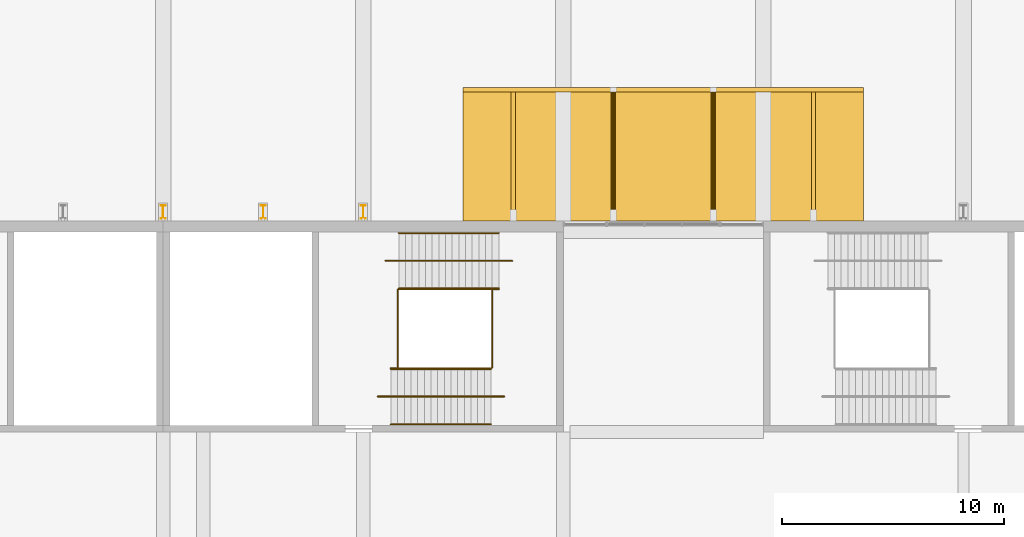
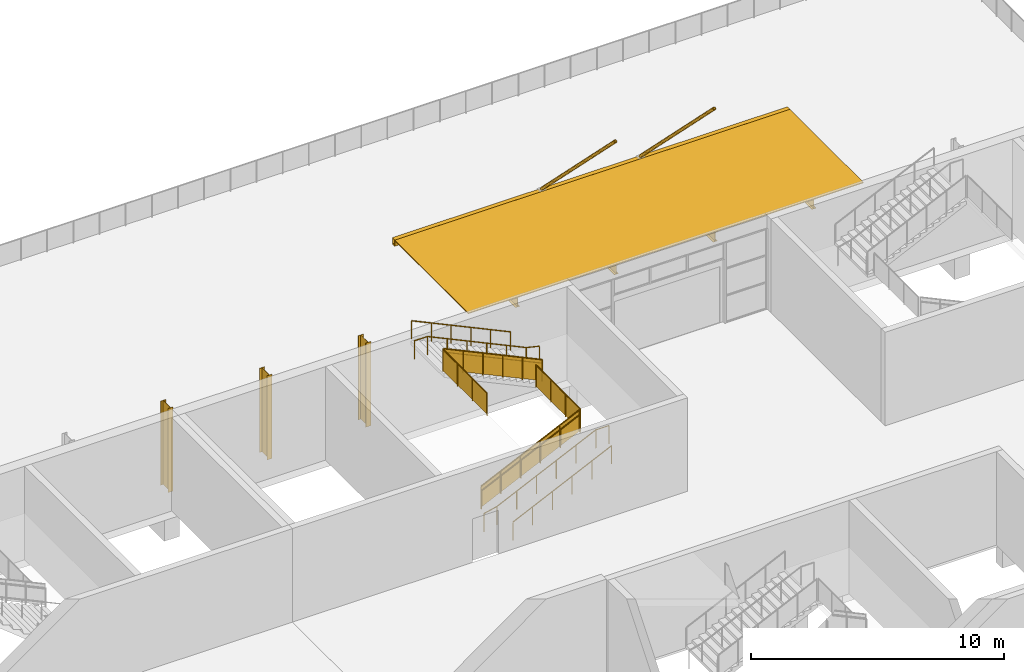
# One storey, part 165 of 168: 13 shading devices, 10 railings.
"""IFC4 building model written with IfcOpenShell, lengths in metres."""

from ifc_helpers import new_model, si_unit, direction, frame, origin, origin_2d, place, context, subcontext, project, spatial, polyline, rectangle, hollow_rectangle, circle, hollow_circle, i_section, outline, extrude, material, material_profile, profile_set, type_object, element, save


model = new_model("IFC4")

# Units and contexts
model_context = context("Model", 3, precision=1e-05, world=origin(), true_north=direction((0.0, 1.0)))
body_context = subcontext(model_context, "Body", "Model", "MODEL_VIEW")
ifc_project = project(units=[si_unit("LENGTHUNIT", "METRE"), si_unit("AREAUNIT", "SQUARE_METRE"), si_unit("VOLUMEUNIT", "CUBIC_METRE"), si_unit("PLANEANGLEUNIT", "RADIAN"), si_unit("MASSUNIT", "GRAM", prefix="KILO")], contexts=[model_context])

# Site, building, storey
site_placement = place(None, origin())
site = spatial("IfcSite", under=ifc_project, at=site_placement, CompositionType="ELEMENT")
building_placement = place(site_placement, origin())
building = spatial("IfcBuilding", under=site, at=building_placement, Name="Silverbay Arena", CompositionType="ELEMENT")
storey_placement = place(building_placement, frame((0.0, 0.0, 7.0)))
storey = spatial("IfcBuildingStorey", under=building, at=storey_placement, Name="L01", CompositionType="ELEMENT", Elevation=7.0)

# Shading devices
ifc_material_1 = material(Name="Steel S355", Category="steel")
shading_device_type_1 = type_object("IfcShadingDeviceType", Name="Entrance marquee 6000 x 18000", PredefinedType="AWNING", material=ifc_material_1)
shading_device_1_placement = place(storey_placement, frame((184.5, 147.39990234375, 4.353271484375), z_axis=(0.0, 0.0, 1.0), x_axis=(1.0, 0.0, 0.0)))
element("IfcShadingDevice", 1, at=shading_device_1_placement, inside=storey, type_object=shading_device_type_1, Name="North entrance marquee L01 bay 18", PredefinedType="AWNING", context=body_context, shape_type="SweptSolid", body=[
    extrude(rectangle(XDim=18.0, YDim=5.800048828125, at=origin_2d()), origin(), (0.0, 0.0, 1.0), 0.0400390625),
])
ifc_material_2 = material(Name="Steel S355", Category="steel")
ifc_material_profile_1 = material_profile(ifc_material_2, i_section(OverallWidth=0.18994140625, OverallDepth=0.453369140625, WebThickness=0.008544921875, FlangeThickness=0.0126953125, at=origin_2d()), Name="UB 457x191x67")
ifc_profile_set_1 = profile_set([ifc_material_profile_1], Name="Steel S355")
shading_device_type_2 = type_object("IfcShadingDeviceType", Name="Marquee cantilever beam UB 457x191x67", PredefinedType="USERDEFINED", material=ifc_profile_set_1)
for number, where, z_axis, x_axis, name in (
    (2, (177.75, 144.5, 4.126708984375), (0.0, 1.0, 0.0), (-1.0, 0.0, 0.0), "North marquee beam L01 bay 18.1"),
    (3, (182.25, 144.5, 4.126708984375), (0.0, 1.0, 0.0), (-1.0, 0.0, 0.0), "North marquee beam L01 bay 18.2"),
    (4, (186.75, 144.5, 4.126708984375), (0.0, 1.0, 0.0), (-1.0, 0.0, 0.0), "North marquee beam L01 bay 18.3"),
    (5, (191.25, 144.5, 4.126708984375), (0.0, 1.0, 0.0), (-1.0, 0.0, 0.0), "North marquee beam L01 bay 18.4"),
):
    element("IfcShadingDevice", number, at=place(storey_placement, frame(where, z_axis=z_axis, x_axis=x_axis)), inside=storey, type_object=shading_device_type_2, Name=name, ObjectType="MARQUEE FRAME", PredefinedType="USERDEFINED", context=body_context, shape_type="SweptSolid", body=[
        extrude(i_section(OverallWidth=0.18994140625, OverallDepth=0.453369140625, WebThickness=0.008544921875, FlangeThickness=0.0126953125, at=origin_2d()), origin(), (0.0, 0.0, 1.0), 5.800048828125),
    ])
ifc_material_3 = material(Name="Steel S355", Category="steel")
ifc_material_profile_2 = material_profile(ifc_material_3, hollow_rectangle(XDim=0.199951171875, YDim=0.300048828125, WallThickness=0.008056640625, at=origin_2d()), Name="RHS 300x200x8")
ifc_profile_set_2 = profile_set([ifc_material_profile_2], Name="Steel S355")
shading_device_type_3 = type_object("IfcShadingDeviceType", Name="Marquee edge beam RHS 300x200x8", PredefinedType="USERDEFINED", material=ifc_profile_set_2)
shading_device_2_placement = place(storey_placement, frame((175.5, 150.39990234375, 4.243408203125), z_axis=(1.0, 0.0, 0.0), x_axis=(0.0, 1.0, 0.0)))
element("IfcShadingDevice", 6, at=shading_device_2_placement, inside=storey, type_object=shading_device_type_3, Name="North marquee edge beam L01 bay 18.1", ObjectType="MARQUEE FRAME", PredefinedType="USERDEFINED", context=body_context, shape_type="SweptSolid", body=[
    extrude(hollow_rectangle(XDim=0.199951171875, YDim=0.300048828125, WallThickness=0.008056640625, at=origin_2d()), origin(), (0.0, 0.0, 1.0), 6.75),
])
shading_device_3_placement = place(storey_placement, frame((182.25, 150.39990234375, 4.243408203125), z_axis=(1.0, 0.0, 0.0), x_axis=(0.0, 1.0, 0.0)))
element("IfcShadingDevice", 7, at=shading_device_3_placement, inside=storey, type_object=shading_device_type_3, Name="North marquee edge beam L01 bay 18.2", ObjectType="MARQUEE FRAME", PredefinedType="USERDEFINED", context=body_context, shape_type="SweptSolid", body=[
    extrude(hollow_rectangle(XDim=0.199951171875, YDim=0.300048828125, WallThickness=0.008056640625, at=origin_2d()), origin(), (0.0, 0.0, 1.0), 4.5),
])
shading_device_4_placement = place(storey_placement, frame((186.75, 150.39990234375, 4.243408203125), z_axis=(1.0, 0.0, 0.0), x_axis=(0.0, 1.0, 0.0)))
element("IfcShadingDevice", 8, at=shading_device_4_placement, inside=storey, type_object=shading_device_type_3, Name="North marquee edge beam L01 bay 18.3", ObjectType="MARQUEE FRAME", PredefinedType="USERDEFINED", context=body_context, shape_type="SweptSolid", body=[
    extrude(hollow_rectangle(XDim=0.199951171875, YDim=0.300048828125, WallThickness=0.008056640625, at=origin_2d()), origin(), (0.0, 0.0, 1.0), 6.75),
])
ifc_material_4 = material(Name="Steel S355", Category="steel")
ifc_material_profile_3 = material_profile(ifc_material_4, hollow_circle(Radius=0.06982421875, WallThickness=0.008056640625, at=origin_2d()), Name="CHS 139.7x8")
ifc_profile_set_3 = profile_set([ifc_material_profile_3], Name="Steel S355")
shading_device_type_4 = type_object("IfcShadingDeviceType", Name="Marquee tie CHS 139.7x8", PredefinedType="USERDEFINED", material=ifc_profile_set_3)
for number, where, z_axis, x_axis, name in (
    (9, (182.25, 150.39990234375, 4.443359375), (0.0, -0.707091949838, 0.707121612224), (1.0, 0.0, 0.0), "North marquee tie 1"),
    (10, (186.75, 150.39990234375, 4.443359375), (0.0, -0.707091949838, 0.707121612224), (1.0, 0.0, 0.0), "North marquee tie 2"),
):
    element("IfcShadingDevice", number, at=place(storey_placement, frame(where, z_axis=z_axis, x_axis=x_axis)), inside=storey, type_object=shading_device_type_4, Name=name, ObjectType="MARQUEE FRAME", PredefinedType="USERDEFINED", context=body_context, shape_type="SweptSolid", body=[
        extrude(hollow_circle(Radius=0.06982421875, WallThickness=0.008056640625, at=origin_2d()), origin(), (0.0, 0.0, 1.0), 8.230712890625),
    ])

# Railings
ifc_material_5 = material(Name="Stainless steel", Category="steel")
railing_type_1 = type_object("IfcRailingType", Name="Stair guard 1100", PredefinedType="GUARDRAIL", material=ifc_material_5)
railing_1_placement = place(storey_placement, frame((172.24658203125, 137.875, 0.140625)))
element("IfcRailing", 11, at=railing_1_placement, inside=storey, type_object=railing_type_1, Name="Stair ST-N4 L01 to L02 flight 1 guard right", PredefinedType="GUARDRAIL", context=body_context, shape_type="SweptSolid", body=[
    extrude(circle(Radius=0.02392578125, at=origin_2d()), frame((0.0, 0.0, 1.076171875), z_axis=(0.905458935959, 0.0, 0.424433876231), x_axis=(0.0, 1.0, 0.0)), (0.0, 0.0, 1.0), 4.969970703125),
    extrude(outline(polyline([(-0.008056640625, 0.046142578125), (0.907958984375, 0.4755859375), (0.907958984375, 1.478515625), (-0.008056640625, 1.04931640625), (-0.008056640625, 0.046142578125)])), frame((0.0, 0.0029296875, 0.0), z_axis=(0.0, -1.0, 0.0), x_axis=(1.0, 0.0, 0.0)), (0.0, 0.0, 1.0), 0.006103515625),
    extrude(outline(polyline([(-0.008056640625, 0.468017578125), (0.907958984375, 0.8974609375), (0.907958984375, 1.900390625), (-0.008056640625, 1.47119140625), (-0.008056640625, 0.468017578125)])), frame((0.89990234375, 0.0029296875, 0.0), z_axis=(0.0, -1.0, 0.0), x_axis=(1.0, 0.0, 0.0)), (0.0, 0.0, 1.0), 0.006103515625),
    extrude(outline(polyline([(-0.008056640625, 0.889892578125), (0.907958984375, 1.3193359375), (0.907958984375, 2.322265625), (-0.008056640625, 1.89306640625), (-0.008056640625, 0.889892578125)])), frame((1.800048828125, 0.0029296875, 0.0), z_axis=(0.0, -1.0, 0.0), x_axis=(1.0, 0.0, 0.0)), (0.0, 0.0, 1.0), 0.006103515625),
    extrude(outline(polyline([(-0.008056640625, 1.311767578125), (0.907958984375, 1.7412109375), (0.907958984375, 2.744140625), (-0.008056640625, 2.31494140625), (-0.008056640625, 1.311767578125)])), frame((2.699951171875, 0.0029296875, 0.0), z_axis=(0.0, -1.0, 0.0), x_axis=(1.0, 0.0, 0.0)), (0.0, 0.0, 1.0), 0.006103515625),
    extrude(outline(polyline([(-0.008056640625, 1.733642578125), (0.907958984375, 2.1630859375), (0.907958984375, 3.166015625), (-0.008056640625, 2.73681640625), (-0.008056640625, 1.733642578125)])), frame((3.60009765625, 0.0029296875, 0.0), z_axis=(0.0, -1.0, 0.0), x_axis=(1.0, 0.0, 0.0)), (0.0, 0.0, 1.0), 0.006103515625),
    extrude(circle(Radius=0.02099609375, at=origin_2d()), origin(), (0.0, 0.0, 1.0), 1.052001953125),
    extrude(circle(Radius=0.02099609375, at=origin_2d()), frame((0.89990234375, 0.0, 0.421875)), (0.0, 0.0, 1.0), 1.052001953125),
    extrude(circle(Radius=0.02099609375, at=origin_2d()), frame((1.800048828125, 0.0, 0.84375)), (0.0, 0.0, 1.0), 1.052001953125),
    extrude(circle(Radius=0.02099609375, at=origin_2d()), frame((2.699951171875, 0.0, 1.265625)), (0.0, 0.0, 1.0), 1.052001953125),
    extrude(circle(Radius=0.02099609375, at=origin_2d()), frame((3.60009765625, 0.0, 1.6875)), (0.0, 0.0, 1.0), 1.052001953125),
    extrude(circle(Radius=0.02099609375, at=origin_2d()), frame((4.5, 0.0, 2.109375)), (0.0, 0.0, 1.0), 1.052001953125),
])
railing_2_placement = place(storey_placement, frame((177.10009765625, 141.425048828125, 2.390625)))
element("IfcRailing", 12, at=railing_2_placement, inside=storey, type_object=railing_type_1, Name="Stair ST-N4 L01 to L02 flight 2 guard left", PredefinedType="GUARDRAIL", context=body_context, shape_type="SweptSolid", body=[
    extrude(circle(Radius=0.02392578125, at=origin_2d()), frame((0.0, 0.0, 1.076171875), z_axis=(-0.905458935959, 0.0, 0.424433876231), x_axis=(0.0, -1.0, 0.0)), (0.0, 0.0, 1.0), 4.969970703125),
    extrude(outline(polyline([(-0.008056640625, 0.046142578125), (0.907958984375, 0.4755859375), (0.907958984375, 1.478515625), (-0.008056640625, 1.04931640625), (-0.008056640625, 0.046142578125)])), frame((0.0, -0.0029296875, 0.0), z_axis=(0.0, 1.0, 0.0), x_axis=(-1.0, 0.0, 0.0)), (0.0, 0.0, 1.0), 0.006103515625),
    extrude(outline(polyline([(-0.008056640625, 0.468017578125), (0.907958984375, 0.8974609375), (0.907958984375, 1.900390625), (-0.008056640625, 1.47119140625), (-0.008056640625, 0.468017578125)])), frame((-0.89990234375, -0.0029296875, 0.0), z_axis=(0.0, 1.0, 0.0), x_axis=(-1.0, 0.0, 0.0)), (0.0, 0.0, 1.0), 0.006103515625),
    extrude(outline(polyline([(-0.008056640625, 0.889892578125), (0.907958984375, 1.3193359375), (0.907958984375, 2.322265625), (-0.008056640625, 1.89306640625), (-0.008056640625, 0.889892578125)])), frame((-1.800048828125, -0.0029296875, 0.0), z_axis=(0.0, 1.0, 0.0), x_axis=(-1.0, 0.0, 0.0)), (0.0, 0.0, 1.0), 0.006103515625),
    extrude(outline(polyline([(-0.008056640625, 1.311767578125), (0.907958984375, 1.7412109375), (0.907958984375, 2.744140625), (-0.008056640625, 2.31494140625), (-0.008056640625, 1.311767578125)])), frame((-2.699951171875, -0.0029296875, 0.0), z_axis=(0.0, 1.0, 0.0), x_axis=(-1.0, 0.0, 0.0)), (0.0, 0.0, 1.0), 0.006103515625),
    extrude(outline(polyline([(-0.008056640625, 1.733642578125), (0.907958984375, 2.1630859375), (0.907958984375, 3.166015625), (-0.008056640625, 2.73681640625), (-0.008056640625, 1.733642578125)])), frame((-3.60009765625, -0.0029296875, 0.0), z_axis=(0.0, 1.0, 0.0), x_axis=(-1.0, 0.0, 0.0)), (0.0, 0.0, 1.0), 0.006103515625),
    extrude(circle(Radius=0.02099609375, at=origin_2d()), origin(), (0.0, 0.0, 1.0), 1.052001953125),
    extrude(circle(Radius=0.02099609375, at=origin_2d()), frame((-0.89990234375, 0.0, 0.421875)), (0.0, 0.0, 1.0), 1.052001953125),
    extrude(circle(Radius=0.02099609375, at=origin_2d()), frame((-1.800048828125, 0.0, 0.84375)), (0.0, 0.0, 1.0), 1.052001953125),
    extrude(circle(Radius=0.02099609375, at=origin_2d()), frame((-2.699951171875, 0.0, 1.265625)), (0.0, 0.0, 1.0), 1.052001953125),
    extrude(circle(Radius=0.02099609375, at=origin_2d()), frame((-3.60009765625, 0.0, 1.6875)), (0.0, 0.0, 1.0), 1.052001953125),
    extrude(circle(Radius=0.02099609375, at=origin_2d()), frame((-4.5, 0.0, 2.109375)), (0.0, 0.0, 1.0), 1.052001953125),
])
for number, where, name in (
    (13, (176.796630859375, 137.89990234375, 2.25), "Stair ST-N4 L01 to L02 landing 1 guard"),
    (14, (172.550048828125, 137.89990234375, 4.5), "Stair ST-N4 L01 to L02 landing 2 guard"),
):
    element("IfcRailing", number, at=place(storey_placement, frame(where)), inside=storey, type_object=railing_type_1, Name=name, PredefinedType="GUARDRAIL", context=body_context, shape_type="SweptSolid", body=[
        extrude(circle(Radius=0.02392578125, at=origin_2d()), frame((0.0, 0.0, 1.076171875), z_axis=(0.0, 1.0, 0.0), x_axis=(-1.0, 0.0, 0.0)), (0.0, 0.0, 1.0), 3.5),
        extrude(outline(polyline([(-0.008056640625, 0.050048828125), (1.174560546875, 0.050048828125), (1.174560546875, 1.052978515625), (-0.008056640625, 1.052978515625), (-0.008056640625, 0.050048828125)])), frame((-0.0029296875, 0.0, 0.0), z_axis=(1.0, 0.0, 0.0), x_axis=(0.0, 1.0, 0.0)), (0.0, 0.0, 1.0), 0.006103515625),
        extrude(outline(polyline([(-0.008056640625, 0.050048828125), (1.174560546875, 0.050048828125), (1.174560546875, 1.052978515625), (-0.008056640625, 1.052978515625), (-0.008056640625, 0.050048828125)])), frame((-0.0029296875, 1.166748046875, 0.0), z_axis=(1.0, 0.0, 0.0), x_axis=(0.0, 1.0, 0.0)), (0.0, 0.0, 1.0), 0.006103515625),
        extrude(outline(polyline([(-0.008056640625, 0.050048828125), (1.174560546875, 0.050048828125), (1.174560546875, 1.052978515625), (-0.008056640625, 1.052978515625), (-0.008056640625, 0.050048828125)])), frame((-0.0029296875, 2.333251953125, 0.0), z_axis=(1.0, 0.0, 0.0), x_axis=(0.0, 1.0, 0.0)), (0.0, 0.0, 1.0), 0.006103515625),
        extrude(circle(Radius=0.02099609375, at=origin_2d()), origin(), (0.0, 0.0, 1.0), 1.052001953125),
        extrude(circle(Radius=0.02099609375, at=origin_2d()), frame((0.0, 1.166748046875, 0.0)), (0.0, 0.0, 1.0), 1.052001953125),
        extrude(circle(Radius=0.02099609375, at=origin_2d()), frame((0.0, 2.333251953125, 0.0)), (0.0, 0.0, 1.0), 1.052001953125),
        extrude(circle(Radius=0.02099609375, at=origin_2d()), frame((0.0, 3.5, 0.0)), (0.0, 0.0, 1.0), 1.052001953125),
    ])
ifc_material_6 = material(Name="Stainless steel", Category="steel")
railing_type_2 = type_object("IfcRailingType", Name="Stair handrail 900", PredefinedType="HANDRAIL", material=ifc_material_6)
for number, where, name in (
    (15, (172.24658203125, 135.35009765625, 0.140625), "Stair ST-N4 L01 to L02 flight 1 handrail left"),
    (16, (172.24658203125, 137.8359375, 0.140625), "Stair ST-N4 L01 to L02 flight 1 handrail right"),
):
    element("IfcRailing", number, at=place(storey_placement, frame(where)), inside=storey, type_object=railing_type_2, Name=name, PredefinedType="HANDRAIL", context=body_context, shape_type="SweptSolid", body=[
        extrude(circle(Radius=0.02392578125, at=origin_2d()), frame((0.0, 0.0, 0.8759765625), z_axis=(0.905458935959, 0.0, 0.424433876231), x_axis=(0.0, 1.0, 0.0)), (0.0, 0.0, 1.0), 4.969970703125),
        extrude(circle(Radius=0.02099609375, at=origin_2d()), origin(), (0.0, 0.0, 1.0), 0.851806640625),
        extrude(circle(Radius=0.02099609375, at=origin_2d()), frame((0.89990234375, 0.0, 0.421875)), (0.0, 0.0, 1.0), 0.851806640625),
        extrude(circle(Radius=0.02099609375, at=origin_2d()), frame((1.800048828125, 0.0, 0.84375)), (0.0, 0.0, 1.0), 0.851806640625),
        extrude(circle(Radius=0.02099609375, at=origin_2d()), frame((2.699951171875, 0.0, 1.265625)), (0.0, 0.0, 1.0), 0.851806640625),
        extrude(circle(Radius=0.02099609375, at=origin_2d()), frame((3.60009765625, 0.0, 1.6875)), (0.0, 0.0, 1.0), 0.851806640625),
        extrude(circle(Radius=0.02099609375, at=origin_2d()), frame((4.5, 0.0, 2.109375)), (0.0, 0.0, 1.0), 0.851806640625),
    ])
railing_3_placement = place(storey_placement, frame((171.646484375, 136.60009765625, 0.0)))
element("IfcRailing", 17, at=railing_3_placement, inside=storey, type_object=railing_type_2, Name="Stair ST-N4 L01 to L02 flight 1 central handrail", PredefinedType="HANDRAIL", context=body_context, shape_type="SweptSolid", body=[
    extrude(circle(Radius=0.02392578125, at=origin_2d()), frame((0.0, 0.0, 0.8759765625), z_axis=(0.973624560196, 0.0, 0.228156121511), x_axis=(0.0, 1.0, 0.0)), (0.0, 0.0, 1.0), 0.616455078125),
    extrude(circle(Radius=0.02392578125, at=origin_2d()), frame((0.60009765625, 0.0, 1.0166015625), z_axis=(0.905458935959, 0.0, 0.424433876231), x_axis=(0.0, 1.0, 0.0)), (0.0, 0.0, 1.0), 4.969970703125),
    extrude(circle(Radius=0.02392578125, at=origin_2d()), frame((5.10009765625, 0.0, 3.1259765625), z_axis=(1.0, 0.0, 0.0), x_axis=(0.0, 1.0, 0.0)), (0.0, 0.0, 1.0), 0.60009765625),
    extrude(circle(Radius=0.02099609375, at=origin_2d()), origin(), (0.0, 0.0, 1.0), 0.851806640625),
    extrude(circle(Radius=0.02099609375, at=origin_2d()), frame((0.60009765625, 0.0, 0.140625)), (0.0, 0.0, 1.0), 0.851806640625),
    extrude(circle(Radius=0.02099609375, at=origin_2d()), frame((1.5, 0.0, 0.5625)), (0.0, 0.0, 1.0), 0.851806640625),
    extrude(circle(Radius=0.02099609375, at=origin_2d()), frame((2.400146484375, 0.0, 0.984375)), (0.0, 0.0, 1.0), 0.851806640625),
    extrude(circle(Radius=0.02099609375, at=origin_2d()), frame((3.300048828125, 0.0, 1.40625)), (0.0, 0.0, 1.0), 0.851806640625),
    extrude(circle(Radius=0.02099609375, at=origin_2d()), frame((4.2001953125, 0.0, 1.828125)), (0.0, 0.0, 1.0), 0.851806640625),
    extrude(circle(Radius=0.02099609375, at=origin_2d()), frame((5.10009765625, 0.0, 2.25)), (0.0, 0.0, 1.0), 0.851806640625),
    extrude(circle(Radius=0.02099609375, at=origin_2d()), frame((5.7001953125, 0.0, 2.25)), (0.0, 0.0, 1.0), 0.851806640625),
])
for number, where, name in (
    (18, (177.10009765625, 141.464111328125, 2.390625), "Stair ST-N4 L01 to L02 flight 2 handrail left"),
    (19, (177.10009765625, 143.949951171875, 2.390625), "Stair ST-N4 L01 to L02 flight 2 handrail right"),
):
    element("IfcRailing", number, at=place(storey_placement, frame(where)), inside=storey, type_object=railing_type_2, Name=name, PredefinedType="HANDRAIL", context=body_context, shape_type="SweptSolid", body=[
        extrude(circle(Radius=0.02392578125, at=origin_2d()), frame((0.0, 0.0, 0.8759765625), z_axis=(-0.905458935959, 0.0, 0.424433876231), x_axis=(0.0, -1.0, 0.0)), (0.0, 0.0, 1.0), 4.969970703125),
        extrude(circle(Radius=0.02099609375, at=origin_2d()), origin(), (0.0, 0.0, 1.0), 0.851806640625),
        extrude(circle(Radius=0.02099609375, at=origin_2d()), frame((-0.89990234375, 0.0, 0.421875)), (0.0, 0.0, 1.0), 0.851806640625),
        extrude(circle(Radius=0.02099609375, at=origin_2d()), frame((-1.800048828125, 0.0, 0.84375)), (0.0, 0.0, 1.0), 0.851806640625),
        extrude(circle(Radius=0.02099609375, at=origin_2d()), frame((-2.699951171875, 0.0, 1.265625)), (0.0, 0.0, 1.0), 0.851806640625),
        extrude(circle(Radius=0.02099609375, at=origin_2d()), frame((-3.60009765625, 0.0, 1.6875)), (0.0, 0.0, 1.0), 0.851806640625),
        extrude(circle(Radius=0.02099609375, at=origin_2d()), frame((-4.5, 0.0, 2.109375)), (0.0, 0.0, 1.0), 0.851806640625),
    ])
railing_4_placement = place(storey_placement, frame((177.699951171875, 142.699951171875, 2.25)))
element("IfcRailing", 20, at=railing_4_placement, inside=storey, type_object=railing_type_2, Name="Stair ST-N4 L01 to L02 flight 2 central handrail", PredefinedType="HANDRAIL", context=body_context, shape_type="SweptSolid", body=[
    extrude(circle(Radius=0.02392578125, at=origin_2d()), frame((0.0, 0.0, 0.8759765625), z_axis=(-0.973603928963, 0.0, 0.228244144519), x_axis=(0.0, -1.0, 0.0)), (0.0, 0.0, 1.0), 0.6162109375),
    extrude(circle(Radius=0.02392578125, at=origin_2d()), frame((-0.599853515625, 0.0, 1.0166015625), z_axis=(-0.905458935959, 0.0, 0.424433876231), x_axis=(0.0, -1.0, 0.0)), (0.0, 0.0, 1.0), 4.969970703125),
    extrude(circle(Radius=0.02392578125, at=origin_2d()), frame((-5.099853515625, 0.0, 3.1259765625), z_axis=(-1.0, 0.0, 0.0), x_axis=(0.0, -1.0, 0.0)), (0.0, 0.0, 1.0), 0.60009765625),
    extrude(circle(Radius=0.02099609375, at=origin_2d()), origin(), (0.0, 0.0, 1.0), 0.851806640625),
    extrude(circle(Radius=0.02099609375, at=origin_2d()), frame((-0.599853515625, 0.0, 0.140625)), (0.0, 0.0, 1.0), 0.851806640625),
    extrude(circle(Radius=0.02099609375, at=origin_2d()), frame((-1.499755859375, 0.0, 0.5625)), (0.0, 0.0, 1.0), 0.851806640625),
    extrude(circle(Radius=0.02099609375, at=origin_2d()), frame((-2.39990234375, 0.0, 0.984375)), (0.0, 0.0, 1.0), 0.851806640625),
    extrude(circle(Radius=0.02099609375, at=origin_2d()), frame((-3.2998046875, 0.0, 1.40625)), (0.0, 0.0, 1.0), 0.851806640625),
    extrude(circle(Radius=0.02099609375, at=origin_2d()), frame((-4.199951171875, 0.0, 1.828125)), (0.0, 0.0, 1.0), 0.851806640625),
    extrude(circle(Radius=0.02099609375, at=origin_2d()), frame((-5.099853515625, 0.0, 2.25)), (0.0, 0.0, 1.0), 0.851806640625),
    extrude(circle(Radius=0.02099609375, at=origin_2d()), frame((-5.699951171875, 0.0, 2.25)), (0.0, 0.0, 1.0), 0.851806640625),
])

# Shading devices
ifc_material_7 = material(Name="Steel S355", Category="steel")
ifc_material_profile_4 = material_profile(ifc_material_7, i_section(OverallWidth=0.2275390625, OverallDepth=0.6025390625, WebThickness=0.010498046875, FlangeThickness=0.014892578125, at=origin_2d()), Name="UB 610x229x101")
ifc_profile_set_4 = profile_set([ifc_material_profile_4], Name="Steel S355")
shading_device_type_5 = type_object("IfcShadingDeviceType", Name="Steel fin UB 610x229x101", PredefinedType="USERDEFINED", material=ifc_profile_set_4)
for number, where, z_axis, x_axis, name in (
    (21, (162.0, 144.9013671875, 0.449951171875), (0.0, 0.0, 1.0), (1.0, 0.0, 0.0), "Steel fin N L01 24"),
    (22, (166.5, 144.9013671875, 0.449951171875), (0.0, 0.0, 1.0), (1.0, 0.0, 0.0), "Steel fin N L01 25"),
    (23, (171.0, 144.9013671875, 0.449951171875), (0.0, 0.0, 1.0), (1.0, 0.0, 0.0), "Steel fin N L01 26"),
):
    element("IfcShadingDevice", number, at=place(storey_placement, frame(where, z_axis=z_axis, x_axis=x_axis)), inside=storey, type_object=shading_device_type_5, Name=name, ObjectType="FIN", PredefinedType="USERDEFINED", context=body_context, shape_type="SweptSolid", body=[
        extrude(i_section(OverallWidth=0.2275390625, OverallDepth=0.6025390625, WebThickness=0.010498046875, FlangeThickness=0.014892578125, at=origin_2d()), origin(), (0.0, 0.0, 1.0), 4.050048828125),
    ])

save(model, "model.ifc")
